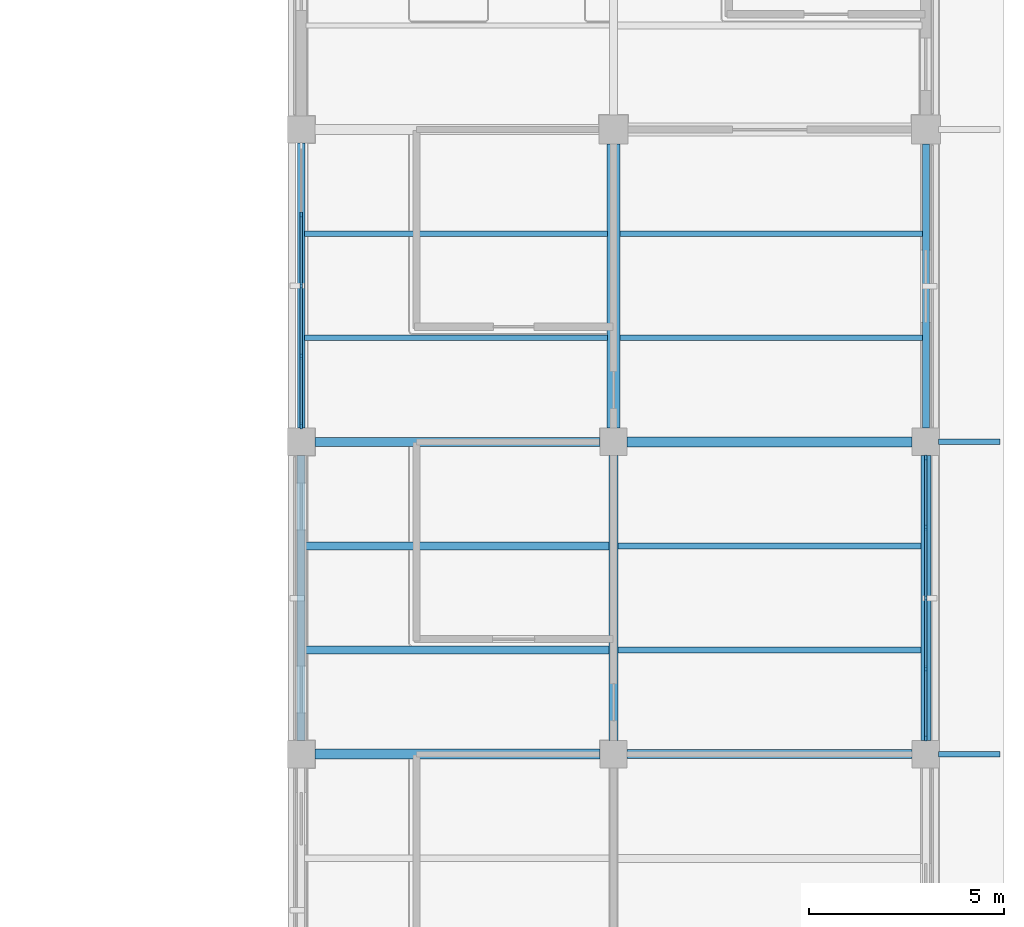
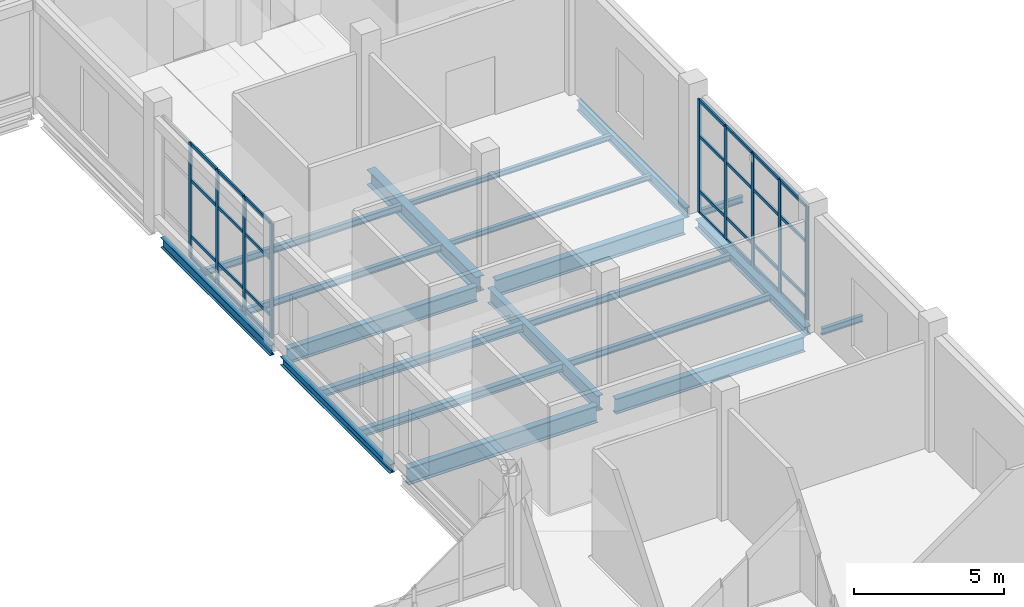
# One storey, part 43 of 105: 37 members, 20 beams, 2 elements without a shape of their own.
"""IFC4 building model written with IfcOpenShell, lengths in metres."""

from ifc_helpers import new_model, si_unit, derived_unit, direction, frame, origin, origin_2d, place, context, subcontext, project, spatial, rectangle, i_section, extrude, material, layer, layer_set, material_profile, profile_set, type_object, element, aggregate, save


model = new_model("IFC4")

# Units and contexts
model_context = context("Model", 3, precision=1e-05, world=origin(), true_north=direction((0.0, 1.0)))
body_context = subcontext(model_context, "Body", "Model", "MODEL_VIEW")
ifc_project = project(units=[si_unit("LENGTHUNIT", "METRE"), si_unit("AREAUNIT", "SQUARE_METRE"), si_unit("VOLUMEUNIT", "CUBIC_METRE"), si_unit("PLANEANGLEUNIT", "RADIAN"), si_unit("MASSUNIT", "GRAM", prefix="KILO"), derived_unit("THERMALTRANSMITTANCEUNIT", [(si_unit("MASSUNIT", "GRAM", prefix="KILO"), 1), (si_unit("TIMEUNIT", "SECOND"), -3), (si_unit("THERMODYNAMICTEMPERATUREUNIT", "KELVIN"), -1)])], contexts=[model_context])

# Site, building, storey
site_placement = place(None, origin())
site = spatial("IfcSite", under=ifc_project, at=site_placement, CompositionType="ELEMENT")
building_placement = place(site_placement, origin())
building = spatial("IfcBuilding", under=site, at=building_placement, Name="Veyamyaing Civic Hall", CompositionType="ELEMENT")
storey_placement = place(building_placement, origin())
storey = spatial("IfcBuildingStorey", under=building, at=storey_placement, Name="L00", CompositionType="ELEMENT", Elevation=0.0)

# Beams
ifc_material_1 = material(Name="Steel ASTM A992", Category="steel")
ifc_material_profile_1 = material_profile(ifc_material_1, i_section(OverallWidth=0.256103515625, OverallDepth=0.693115234375, WebThickness=0.014404296875, FlangeThickness=0.023681640625, FilletRadius=0.013916015625, at=origin_2d()), Name="W690X170")
ifc_profile_set_1 = profile_set([ifc_material_profile_1], Name="Steel ASTM A992")
beam_type_1 = type_object("IfcBeamType", Name="B-04", PredefinedType="BEAM", material=ifc_profile_set_1)
beam_1_placement = place(storey_placement, frame((160.35009765625, 64.0, -0.611572265625), z_axis=(1.0, 0.0, 0.0), x_axis=(0.0, 1.0, 0.0)))
element("IfcBeam", 1, at=beam_1_placement, inside=storey, type_object=beam_type_1, Name="Girder B-04 L00 Grid J 21-22", PredefinedType="BEAM", context=body_context, shape_type="SweptSolid", body=[
    extrude(i_section(OverallWidth=0.256103515625, OverallDepth=0.693115234375, WebThickness=0.014404296875, FlangeThickness=0.023681640625, FilletRadius=0.013916015625, at=origin_2d()), origin(), (0.0, 0.0, 1.0), 7.2998046875),
])
ifc_material_profile_2 = material_profile(ifc_material_1, i_section(OverallWidth=0.22998046875, OverallDepth=0.616943359375, WebThickness=0.01318359375, FlangeThickness=0.022216796875, FilletRadius=0.012939453125, at=origin_2d()), Name="W610X140")
ifc_profile_set_2 = profile_set([ifc_material_profile_2], Name="Steel ASTM A992")
beam_type_2 = type_object("IfcBeamType", Name="B-05", PredefinedType="BEAM", material=ifc_profile_set_2)
for number, where, z_axis, x_axis, name in (
    (2, (168.35009765625, 64.0, -0.573486328125), (1.0, 0.0, 0.0), (0.0, 1.0, 0.0), "Girder B-05 L00 Grid J 22-23"),
    (3, (160.35009765625, 72.0, -0.573486328125), (1.0, 0.0, 0.0), (0.0, 1.0, 0.0), "Girder B-05 L00 Grid K 21-22"),
):
    element("IfcBeam", number, at=place(storey_placement, frame(where, z_axis=z_axis, x_axis=x_axis)), inside=storey, type_object=beam_type_2, Name=name, PredefinedType="BEAM", context=body_context, shape_type="SweptSolid", body=[
        extrude(i_section(OverallWidth=0.22998046875, OverallDepth=0.616943359375, WebThickness=0.01318359375, FlangeThickness=0.022216796875, FilletRadius=0.012939453125, at=origin_2d()), origin(), (0.0, 0.0, 1.0), 7.2998046875),
    ])
ifc_material_profile_3 = material_profile(ifc_material_1, i_section(OverallWidth=0.22802734375, OverallDepth=0.60791015625, WebThickness=0.01123046875, FlangeThickness=0.017333984375, FilletRadius=0.012939453125, at=origin_2d()), Name="W610X113")
ifc_profile_set_3 = profile_set([ifc_material_profile_3], Name="Steel ASTM A992")
beam_type_3 = type_object("IfcBeamType", Name="B-06", PredefinedType="BEAM", material=ifc_profile_set_3)
beam_2_placement = place(storey_placement, frame((168.0, 64.35009765625, -0.569091796875), z_axis=(0.0, 1.0, 0.0), x_axis=(-1.0, 0.0, 0.0)))
element("IfcBeam", 4, at=beam_2_placement, inside=storey, type_object=beam_type_3, Name="Girder B-06 L00 Grid 22 J-K", PredefinedType="BEAM", context=body_context, shape_type="SweptSolid", body=[
    extrude(i_section(OverallWidth=0.22802734375, OverallDepth=0.60791015625, WebThickness=0.01123046875, FlangeThickness=0.017333984375, FilletRadius=0.012939453125, at=origin_2d()), origin(), (0.0, 0.0, 1.0), 7.2998046875),
])
ifc_material_profile_4 = material_profile(ifc_material_1, i_section(OverallWidth=0.179931640625, OverallDepth=0.4130859375, WebThickness=0.009765625, FlangeThickness=0.01611328125, FilletRadius=0.010009765625, at=origin_2d()), Name="W410X74")
ifc_profile_set_4 = profile_set([ifc_material_profile_4], Name="Steel ASTM A992")
beam_type_4 = type_object("IfcBeamType", Name="B-10", PredefinedType="SPANDREL", material=ifc_profile_set_4)
beam_3_placement = place(storey_placement, frame((176.0, 72.35009765625, -0.471435546875), z_axis=(0.0, 1.0, 0.0), x_axis=(-1.0, 0.0, 0.0)))
element("IfcBeam", 5, at=beam_3_placement, inside=storey, type_object=beam_type_4, Name="Girder B-10 L00 Grid 23 K-L", PredefinedType="SPANDREL", context=body_context, shape_type="SweptSolid", body=[
    extrude(i_section(OverallWidth=0.179931640625, OverallDepth=0.4130859375, WebThickness=0.009765625, FlangeThickness=0.01611328125, FilletRadius=0.010009765625, at=origin_2d()), origin(), (0.0, 0.0, 1.0), 7.27490234375),
])
ifc_material_profile_5 = material_profile(ifc_material_1, i_section(OverallWidth=0.2041015625, OverallDepth=0.35009765625, WebThickness=0.0078125, FlangeThickness=0.01513671875, FilletRadius=0.010009765625, at=origin_2d()), Name="W360X72")
ifc_profile_set_5 = profile_set([ifc_material_profile_5], Name="Steel ASTM A992")
beam_type_5 = type_object("IfcBeamType", Name="B-11", PredefinedType="SPANDREL", material=ifc_profile_set_5)
beam_4_placement = place(storey_placement, frame((160.0, 64.35009765625, -0.43994140625), z_axis=(0.0, 1.0, 0.0), x_axis=(-1.0, 0.0, 0.0)))
element("IfcBeam", 6, at=beam_4_placement, inside=storey, type_object=beam_type_5, Name="Girder B-11 L00 Grid 21 J-K", PredefinedType="SPANDREL", context=body_context, shape_type="SweptSolid", body=[
    extrude(i_section(OverallWidth=0.2041015625, OverallDepth=0.35009765625, WebThickness=0.0078125, FlangeThickness=0.01513671875, FilletRadius=0.010009765625, at=origin_2d()), origin(), (0.0, 0.0, 1.0), 7.2998046875),
])
ifc_material_profile_6 = material_profile(ifc_material_1, i_section(OverallWidth=0.14599609375, OverallDepth=0.258056640625, WebThickness=0.006103515625, FlangeThickness=0.009033203125, FilletRadius=0.010009765625, at=origin_2d()), Name="W250X33")
ifc_profile_set_6 = profile_set([ifc_material_profile_6], Name="Steel ASTM A992")
beam_type_6 = type_object("IfcBeamType", Name="B-12", PredefinedType="BEAM", material=ifc_profile_set_6)
for number, where, z_axis, x_axis, name in (
    (7, (176.320068359375, 64.0, -0.34912109375), (1.0, 0.0, 0.0), (0.0, 1.0, 0.0), "Colonnade deck transverse beam B-12 E.8"),
    (8, (176.320068359375, 72.0, -0.34912109375), (1.0, 0.0, 0.0), (0.0, 1.0, 0.0), "Colonnade deck transverse beam B-12 E.9"),
):
    element("IfcBeam", number, at=place(storey_placement, frame(where, z_axis=z_axis, x_axis=x_axis)), inside=storey, type_object=beam_type_6, Name=name, PredefinedType="BEAM", context=body_context, shape_type="SweptSolid", body=[
        extrude(i_section(OverallWidth=0.14599609375, OverallDepth=0.258056640625, WebThickness=0.006103515625, FlangeThickness=0.009033203125, FilletRadius=0.010009765625, at=origin_2d()), origin(), (0.0, 0.0, 1.0), 1.579833984375),
    ])
ifc_material_profile_7 = material_profile(ifc_material_1, i_section(OverallWidth=0.25390625, OverallDepth=0.68408203125, WebThickness=0.012451171875, FlangeThickness=0.01904296875, FilletRadius=0.013916015625, at=origin_2d()), Name="W690X140")
ifc_profile_set_7 = profile_set([ifc_material_profile_7], Name="Steel ASTM A992")
beam_type_7 = type_object("IfcBeamType", Name="B-14", PredefinedType="BEAM", material=ifc_profile_set_7)
beam_5_placement = place(storey_placement, frame((168.35009765625, 72.0, -0.60693359375), z_axis=(1.0, 0.0, 0.0), x_axis=(0.0, 1.0, 0.0)))
element("IfcBeam", 9, at=beam_5_placement, inside=storey, type_object=beam_type_7, Name="Girder B-14 L00 Grid K 22-23", PredefinedType="BEAM", context=body_context, shape_type="SweptSolid", body=[
    extrude(i_section(OverallWidth=0.25390625, OverallDepth=0.68408203125, WebThickness=0.012451171875, FlangeThickness=0.01904296875, FilletRadius=0.013916015625, at=origin_2d()), origin(), (0.0, 0.0, 1.0), 7.2998046875),
])
ifc_material_profile_8 = material_profile(ifc_material_1, i_section(OverallWidth=0.324951171875, OverallDepth=0.615966796875, WebThickness=0.013916015625, FlangeThickness=0.021484375, FilletRadius=0.013916015625, at=origin_2d()), Name="W610X174")
ifc_profile_set_8 = profile_set([ifc_material_profile_8], Name="Steel ASTM A992")
beam_type_8 = type_object("IfcBeamType", Name="B-15", PredefinedType="BEAM", material=ifc_profile_set_8)
beam_6_placement = place(storey_placement, frame((168.0, 72.35009765625, -0.572998046875), z_axis=(0.0, 1.0, 0.0), x_axis=(-1.0, 0.0, 0.0)))
element("IfcBeam", 10, at=beam_6_placement, inside=storey, type_object=beam_type_8, Name="Girder B-15 L00 Grid 22 K-L", PredefinedType="BEAM", context=body_context, shape_type="SweptSolid", body=[
    extrude(i_section(OverallWidth=0.324951171875, OverallDepth=0.615966796875, WebThickness=0.013916015625, FlangeThickness=0.021484375, FilletRadius=0.013916015625, at=origin_2d()), origin(), (0.0, 0.0, 1.0), 7.27490234375),
])
ifc_material_profile_9 = material_profile(ifc_material_1, i_section(OverallWidth=0.180908203125, OverallDepth=0.4169921875, WebThickness=0.010986328125, FlangeThickness=0.018310546875, FilletRadius=0.010009765625, at=origin_2d()), Name="W410X85")
ifc_profile_set_9 = profile_set([ifc_material_profile_9], Name="Steel ASTM A992")
beam_type_9 = type_object("IfcBeamType", Name="B-19", PredefinedType="SPANDREL", material=ifc_profile_set_9)
beam_7_placement = place(storey_placement, frame((160.0, 72.35009765625, -0.473388671875), z_axis=(0.0, 1.0, 0.0), x_axis=(-1.0, 0.0, 0.0)))
element("IfcBeam", 11, at=beam_7_placement, inside=storey, type_object=beam_type_9, Name="Girder B-19 L00 Grid 21 K-L", PredefinedType="SPANDREL", context=body_context, shape_type="SweptSolid", body=[
    extrude(i_section(OverallWidth=0.180908203125, OverallDepth=0.4169921875, WebThickness=0.010986328125, FlangeThickness=0.018310546875, FilletRadius=0.010009765625, at=origin_2d()), origin(), (0.0, 0.0, 1.0), 7.2998046875),
])
ifc_material_profile_10 = material_profile(ifc_material_1, i_section(OverallWidth=0.25390625, OverallDepth=0.35302734375, WebThickness=0.009521484375, FlangeThickness=0.016357421875, FilletRadius=0.011962890625, at=origin_2d()), Name="W360X91")
ifc_profile_set_10 = profile_set([ifc_material_profile_10], Name="Steel ASTM A992")
beam_type_10 = type_object("IfcBeamType", Name="B-20", PredefinedType="SPANDREL", material=ifc_profile_set_10)
beam_8_placement = place(storey_placement, frame((176.0, 64.35009765625, -0.44140625), z_axis=(0.0, 1.0, 0.0), x_axis=(-1.0, 0.0, 0.0)))
element("IfcBeam", 12, at=beam_8_placement, inside=storey, type_object=beam_type_10, Name="Girder B-20 L00 Grid 23 J-K", PredefinedType="SPANDREL", context=body_context, shape_type="SweptSolid", body=[
    extrude(i_section(OverallWidth=0.25390625, OverallDepth=0.35302734375, WebThickness=0.009521484375, FlangeThickness=0.016357421875, FilletRadius=0.011962890625, at=origin_2d()), origin(), (0.0, 0.0, 1.0), 7.2998046875),
])

# Curtain wall, members
ifc_material_2 = material(Name="Anodised aluminium 6063-T6", Category="aluminium")
ifc_layer = layer(ifc_material_2, 0.159912109375, Name="Anodised aluminium 6063-T6")
ifc_layer_set = layer_set([ifc_layer], Name="Anodised aluminium 6063-T6")
curtain_wall_type = type_object("IfcCurtainWallType", Name="CW-01", PredefinedType="NOTDEFINED", material=ifc_layer_set)
curtain_wall_1_placement = place(storey_placement, origin())
curtain_wall_1 = element("IfcCurtainWall", 13, at=curtain_wall_1_placement, inside=storey, type_object=curtain_wall_type, Name="Unitized curtain wall CW-01 L00 W 21.10", PredefinedType="NOTDEFINED")
ifc_material_profile_11 = material_profile(ifc_material_2, rectangle(XDim=0.06494140625, YDim=0.159912109375, at=origin_2d()), Name="ALU-MUL-65X160")
ifc_profile_set_11 = profile_set([ifc_material_profile_11], Name="Anodised aluminium 6063-T6")
member_type_1 = type_object("IfcMemberType", Name="CWM-01", PredefinedType="MULLION", material=ifc_profile_set_11)
member_1_placement = place(storey_placement, frame((160.0, 72.41259765625, 0.0), z_axis=(0.0, 0.0, 1.0), x_axis=(-1.0, 0.0, 0.0)))
member_1 = element("IfcMember", 14, at=member_1_placement, type_object=member_type_1, Name="CW-01 mullion 1", PredefinedType="MULLION", context=body_context, shape_type="SweptSolid", body=[
    extrude(rectangle(XDim=0.06494140625, YDim=0.159912109375, at=origin_2d()), origin(), (0.0, 0.0, 1.0), 4.678955078125),
])
member_2_placement = place(storey_placement, frame((160.0, 74.18994140625, 0.0), z_axis=(0.0, 0.0, 1.0), x_axis=(-1.0, 0.0, 0.0)))
member_2 = element("IfcMember", 15, at=member_2_placement, type_object=member_type_1, Name="CW-01 mullion 2", PredefinedType="MULLION", context=body_context, shape_type="SweptSolid", body=[
    extrude(rectangle(XDim=0.06494140625, YDim=0.159912109375, at=origin_2d()), origin(), (0.0, 0.0, 1.0), 4.678955078125),
])
member_3_placement = place(storey_placement, frame((160.0, 76.0, 0.0), z_axis=(0.0, 0.0, 1.0), x_axis=(-1.0, 0.0, 0.0)))
member_3 = element("IfcMember", 16, at=member_3_placement, type_object=member_type_1, Name="CW-01 mullion 3", PredefinedType="MULLION", context=body_context, shape_type="SweptSolid", body=[
    extrude(rectangle(XDim=0.06494140625, YDim=0.159912109375, at=origin_2d()), origin(), (0.0, 0.0, 1.0), 4.678955078125),
])
member_4_placement = place(storey_placement, frame((160.0, 77.81005859375, 0.0), z_axis=(0.0, 0.0, 1.0), x_axis=(-1.0, 0.0, 0.0)))
member_4 = element("IfcMember", 17, at=member_4_placement, type_object=member_type_1, Name="CW-01 mullion 4", PredefinedType="MULLION", context=body_context, shape_type="SweptSolid", body=[
    extrude(rectangle(XDim=0.06494140625, YDim=0.159912109375, at=origin_2d()), origin(), (0.0, 0.0, 1.0), 4.678955078125),
])

curtain_wall_2_placement = place(storey_placement, origin())
curtain_wall_2 = element("IfcCurtainWall", 18, at=curtain_wall_2_placement, inside=storey, type_object=curtain_wall_type, Name="Unitized curtain wall CW-01 L00 E 22.9", PredefinedType="NOTDEFINED")
member_5_placement = place(storey_placement, frame((176.0, 64.41259765625, 0.0), z_axis=(0.0, 0.0, 1.0), x_axis=(-1.0, 0.0, 0.0)))
member_5 = element("IfcMember", 19, at=member_5_placement, type_object=member_type_1, Name="CW-01 mullion 1", PredefinedType="MULLION", context=body_context, shape_type="SweptSolid", body=[
    extrude(rectangle(XDim=0.06494140625, YDim=0.159912109375, at=origin_2d()), origin(), (0.0, 0.0, 1.0), 4.614013671875),
])
member_6_placement = place(storey_placement, frame((176.0, 66.18994140625, 0.0), z_axis=(0.0, 0.0, 1.0), x_axis=(-1.0, 0.0, 0.0)))
member_6 = element("IfcMember", 20, at=member_6_placement, type_object=member_type_1, Name="CW-01 mullion 2", PredefinedType="MULLION", context=body_context, shape_type="SweptSolid", body=[
    extrude(rectangle(XDim=0.06494140625, YDim=0.159912109375, at=origin_2d()), origin(), (0.0, 0.0, 1.0), 4.614013671875),
])
member_7_placement = place(storey_placement, frame((176.0, 68.0, 0.0), z_axis=(0.0, 0.0, 1.0), x_axis=(-1.0, 0.0, 0.0)))
member_7 = element("IfcMember", 21, at=member_7_placement, type_object=member_type_1, Name="CW-01 mullion 3", PredefinedType="MULLION", context=body_context, shape_type="SweptSolid", body=[
    extrude(rectangle(XDim=0.06494140625, YDim=0.159912109375, at=origin_2d()), origin(), (0.0, 0.0, 1.0), 4.614013671875),
])
member_8_placement = place(storey_placement, frame((176.0, 69.81005859375, 0.0), z_axis=(0.0, 0.0, 1.0), x_axis=(-1.0, 0.0, 0.0)))
member_8 = element("IfcMember", 22, at=member_8_placement, type_object=member_type_1, Name="CW-01 mullion 4", PredefinedType="MULLION", context=body_context, shape_type="SweptSolid", body=[
    extrude(rectangle(XDim=0.06494140625, YDim=0.159912109375, at=origin_2d()), origin(), (0.0, 0.0, 1.0), 4.614013671875),
])
member_9_placement = place(storey_placement, frame((176.0, 71.58740234375, 0.0), z_axis=(0.0, 0.0, 1.0), x_axis=(-1.0, 0.0, 0.0)))
member_9 = element("IfcMember", 23, at=member_9_placement, type_object=member_type_1, Name="CW-01 mullion 5", PredefinedType="MULLION", context=body_context, shape_type="SweptSolid", body=[
    extrude(rectangle(XDim=0.06494140625, YDim=0.159912109375, at=origin_2d()), origin(), (0.0, 0.0, 1.0), 4.614013671875),
])

# Member
ifc_material_profile_12 = material_profile(ifc_material_2, rectangle(XDim=0.06494140625, YDim=0.1201171875, at=origin_2d()), Name="ALU-TRN-65X120")
ifc_profile_set_12 = profile_set([ifc_material_profile_12], Name="Anodised aluminium 6063-T6")
member_type_2 = type_object("IfcMemberType", Name="CWT-01", PredefinedType="USERDEFINED", material=ifc_profile_set_12)
member_10_placement = place(storey_placement, frame((160.0, 72.445068359375, 0.032470703125), z_axis=(0.0, 1.0, 0.0), x_axis=(-1.0, 0.0, 0.0)))
member_10 = element("IfcMember", 24, at=member_10_placement, type_object=member_type_2, Name="CW-01 transom 1.1", ObjectType="TRANSOM", PredefinedType="USERDEFINED", context=body_context, shape_type="SweptSolid", body=[
    extrude(rectangle(XDim=0.06494140625, YDim=0.1201171875, at=origin_2d()), origin(), (0.0, 0.0, 1.0), 1.71240234375),
])

member_11_placement = place(storey_placement, frame((160.0, 72.445068359375, 0.89990234375), z_axis=(0.0, 1.0, 0.0), x_axis=(-1.0, 0.0, 0.0)))
member_11 = element("IfcMember", 25, at=member_11_placement, type_object=member_type_2, Name="CW-01 transom 1.2", ObjectType="TRANSOM", PredefinedType="USERDEFINED", context=body_context, shape_type="SweptSolid", body=[
    extrude(rectangle(XDim=0.06494140625, YDim=0.1201171875, at=origin_2d()), origin(), (0.0, 0.0, 1.0), 1.71240234375),
])

member_12_placement = place(storey_placement, frame((160.0, 72.445068359375, 3.181640625), z_axis=(0.0, 1.0, 0.0), x_axis=(-1.0, 0.0, 0.0)))
member_12 = element("IfcMember", 26, at=member_12_placement, type_object=member_type_2, Name="CW-01 transom 1.3", ObjectType="TRANSOM", PredefinedType="USERDEFINED", context=body_context, shape_type="SweptSolid", body=[
    extrude(rectangle(XDim=0.06494140625, YDim=0.1201171875, at=origin_2d()), origin(), (0.0, 0.0, 1.0), 1.71240234375),
])

member_13_placement = place(storey_placement, frame((160.0, 72.445068359375, 4.646484375), z_axis=(0.0, 1.0, 0.0), x_axis=(-1.0, 0.0, 0.0)))
member_13 = element("IfcMember", 27, at=member_13_placement, type_object=member_type_2, Name="CW-01 transom 1.4", ObjectType="TRANSOM", PredefinedType="USERDEFINED", context=body_context, shape_type="SweptSolid", body=[
    extrude(rectangle(XDim=0.06494140625, YDim=0.1201171875, at=origin_2d()), origin(), (0.0, 0.0, 1.0), 1.71240234375),
])

member_14_placement = place(storey_placement, frame((160.0, 74.222412109375, 0.032470703125), z_axis=(0.0, 1.0, 0.0), x_axis=(-1.0, 0.0, 0.0)))
member_14 = element("IfcMember", 28, at=member_14_placement, type_object=member_type_2, Name="CW-01 transom 2.1", ObjectType="TRANSOM", PredefinedType="USERDEFINED", context=body_context, shape_type="SweptSolid", body=[
    extrude(rectangle(XDim=0.06494140625, YDim=0.1201171875, at=origin_2d()), origin(), (0.0, 0.0, 1.0), 1.7451171875),
])

member_15_placement = place(storey_placement, frame((160.0, 74.222412109375, 0.89990234375), z_axis=(0.0, 1.0, 0.0), x_axis=(-1.0, 0.0, 0.0)))
member_15 = element("IfcMember", 29, at=member_15_placement, type_object=member_type_2, Name="CW-01 transom 2.2", ObjectType="TRANSOM", PredefinedType="USERDEFINED", context=body_context, shape_type="SweptSolid", body=[
    extrude(rectangle(XDim=0.06494140625, YDim=0.1201171875, at=origin_2d()), origin(), (0.0, 0.0, 1.0), 1.7451171875),
])

member_16_placement = place(storey_placement, frame((160.0, 74.222412109375, 3.181640625), z_axis=(0.0, 1.0, 0.0), x_axis=(-1.0, 0.0, 0.0)))
member_16 = element("IfcMember", 30, at=member_16_placement, type_object=member_type_2, Name="CW-01 transom 2.3", ObjectType="TRANSOM", PredefinedType="USERDEFINED", context=body_context, shape_type="SweptSolid", body=[
    extrude(rectangle(XDim=0.06494140625, YDim=0.1201171875, at=origin_2d()), origin(), (0.0, 0.0, 1.0), 1.7451171875),
])

member_17_placement = place(storey_placement, frame((160.0, 74.222412109375, 4.646484375), z_axis=(0.0, 1.0, 0.0), x_axis=(-1.0, 0.0, 0.0)))
member_17 = element("IfcMember", 31, at=member_17_placement, type_object=member_type_2, Name="CW-01 transom 2.4", ObjectType="TRANSOM", PredefinedType="USERDEFINED", context=body_context, shape_type="SweptSolid", body=[
    extrude(rectangle(XDim=0.06494140625, YDim=0.1201171875, at=origin_2d()), origin(), (0.0, 0.0, 1.0), 1.7451171875),
])

member_18_placement = place(storey_placement, frame((160.0, 76.032470703125, 0.032470703125), z_axis=(0.0, 1.0, 0.0), x_axis=(-1.0, 0.0, 0.0)))
member_18 = element("IfcMember", 32, at=member_18_placement, type_object=member_type_2, Name="CW-01 transom 3.1", ObjectType="TRANSOM", PredefinedType="USERDEFINED", context=body_context, shape_type="SweptSolid", body=[
    extrude(rectangle(XDim=0.06494140625, YDim=0.1201171875, at=origin_2d()), origin(), (0.0, 0.0, 1.0), 1.7451171875),
])

member_19_placement = place(storey_placement, frame((160.0, 76.032470703125, 0.89990234375), z_axis=(0.0, 1.0, 0.0), x_axis=(-1.0, 0.0, 0.0)))
member_19 = element("IfcMember", 33, at=member_19_placement, type_object=member_type_2, Name="CW-01 transom 3.2", ObjectType="TRANSOM", PredefinedType="USERDEFINED", context=body_context, shape_type="SweptSolid", body=[
    extrude(rectangle(XDim=0.06494140625, YDim=0.1201171875, at=origin_2d()), origin(), (0.0, 0.0, 1.0), 1.7451171875),
])

member_20_placement = place(storey_placement, frame((160.0, 76.032470703125, 3.181640625), z_axis=(0.0, 1.0, 0.0), x_axis=(-1.0, 0.0, 0.0)))
member_20 = element("IfcMember", 34, at=member_20_placement, type_object=member_type_2, Name="CW-01 transom 3.3", ObjectType="TRANSOM", PredefinedType="USERDEFINED", context=body_context, shape_type="SweptSolid", body=[
    extrude(rectangle(XDim=0.06494140625, YDim=0.1201171875, at=origin_2d()), origin(), (0.0, 0.0, 1.0), 1.7451171875),
])

member_21_placement = place(storey_placement, frame((160.0, 76.032470703125, 4.646484375), z_axis=(0.0, 1.0, 0.0), x_axis=(-1.0, 0.0, 0.0)))
member_21 = element("IfcMember", 35, at=member_21_placement, type_object=member_type_2, Name="CW-01 transom 3.4", ObjectType="TRANSOM", PredefinedType="USERDEFINED", context=body_context, shape_type="SweptSolid", body=[
    extrude(rectangle(XDim=0.06494140625, YDim=0.1201171875, at=origin_2d()), origin(), (0.0, 0.0, 1.0), 1.7451171875),
])

aggregate(curtain_wall_1, [member_1, member_2, member_3, member_4, member_10, member_11, member_12, member_13, member_14, member_15, member_16, member_17, member_18, member_19, member_20, member_21])

member_22_placement = place(storey_placement, frame((176.0, 64.445068359375, 0.032470703125), z_axis=(0.0, 1.0, 0.0), x_axis=(-1.0, 0.0, 0.0)))
member_22 = element("IfcMember", 36, at=member_22_placement, type_object=member_type_2, Name="CW-01 transom 1.1", ObjectType="TRANSOM", PredefinedType="USERDEFINED", context=body_context, shape_type="SweptSolid", body=[
    extrude(rectangle(XDim=0.06494140625, YDim=0.1201171875, at=origin_2d()), origin(), (0.0, 0.0, 1.0), 1.71240234375),
])

member_23_placement = place(storey_placement, frame((176.0, 64.445068359375, 0.89990234375), z_axis=(0.0, 1.0, 0.0), x_axis=(-1.0, 0.0, 0.0)))
member_23 = element("IfcMember", 37, at=member_23_placement, type_object=member_type_2, Name="CW-01 transom 1.2", ObjectType="TRANSOM", PredefinedType="USERDEFINED", context=body_context, shape_type="SweptSolid", body=[
    extrude(rectangle(XDim=0.06494140625, YDim=0.1201171875, at=origin_2d()), origin(), (0.0, 0.0, 1.0), 1.71240234375),
])

member_24_placement = place(storey_placement, frame((176.0, 64.445068359375, 3.137451171875), z_axis=(0.0, 1.0, 0.0), x_axis=(-1.0, 0.0, 0.0)))
member_24 = element("IfcMember", 38, at=member_24_placement, type_object=member_type_2, Name="CW-01 transom 1.3", ObjectType="TRANSOM", PredefinedType="USERDEFINED", context=body_context, shape_type="SweptSolid", body=[
    extrude(rectangle(XDim=0.06494140625, YDim=0.1201171875, at=origin_2d()), origin(), (0.0, 0.0, 1.0), 1.71240234375),
])

member_25_placement = place(storey_placement, frame((176.0, 64.445068359375, 4.58154296875), z_axis=(0.0, 1.0, 0.0), x_axis=(-1.0, 0.0, 0.0)))
member_25 = element("IfcMember", 39, at=member_25_placement, type_object=member_type_2, Name="CW-01 transom 1.4", ObjectType="TRANSOM", PredefinedType="USERDEFINED", context=body_context, shape_type="SweptSolid", body=[
    extrude(rectangle(XDim=0.06494140625, YDim=0.1201171875, at=origin_2d()), origin(), (0.0, 0.0, 1.0), 1.71240234375),
])

member_26_placement = place(storey_placement, frame((176.0, 66.222412109375, 0.032470703125), z_axis=(0.0, 1.0, 0.0), x_axis=(-1.0, 0.0, 0.0)))
member_26 = element("IfcMember", 40, at=member_26_placement, type_object=member_type_2, Name="CW-01 transom 2.1", ObjectType="TRANSOM", PredefinedType="USERDEFINED", context=body_context, shape_type="SweptSolid", body=[
    extrude(rectangle(XDim=0.06494140625, YDim=0.1201171875, at=origin_2d()), origin(), (0.0, 0.0, 1.0), 1.7451171875),
])

member_27_placement = place(storey_placement, frame((176.0, 66.222412109375, 0.89990234375), z_axis=(0.0, 1.0, 0.0), x_axis=(-1.0, 0.0, 0.0)))
member_27 = element("IfcMember", 41, at=member_27_placement, type_object=member_type_2, Name="CW-01 transom 2.2", ObjectType="TRANSOM", PredefinedType="USERDEFINED", context=body_context, shape_type="SweptSolid", body=[
    extrude(rectangle(XDim=0.06494140625, YDim=0.1201171875, at=origin_2d()), origin(), (0.0, 0.0, 1.0), 1.7451171875),
])

member_28_placement = place(storey_placement, frame((176.0, 66.222412109375, 3.137451171875), z_axis=(0.0, 1.0, 0.0), x_axis=(-1.0, 0.0, 0.0)))
member_28 = element("IfcMember", 42, at=member_28_placement, type_object=member_type_2, Name="CW-01 transom 2.3", ObjectType="TRANSOM", PredefinedType="USERDEFINED", context=body_context, shape_type="SweptSolid", body=[
    extrude(rectangle(XDim=0.06494140625, YDim=0.1201171875, at=origin_2d()), origin(), (0.0, 0.0, 1.0), 1.7451171875),
])

member_29_placement = place(storey_placement, frame((176.0, 66.222412109375, 4.58154296875), z_axis=(0.0, 1.0, 0.0), x_axis=(-1.0, 0.0, 0.0)))
member_29 = element("IfcMember", 43, at=member_29_placement, type_object=member_type_2, Name="CW-01 transom 2.4", ObjectType="TRANSOM", PredefinedType="USERDEFINED", context=body_context, shape_type="SweptSolid", body=[
    extrude(rectangle(XDim=0.06494140625, YDim=0.1201171875, at=origin_2d()), origin(), (0.0, 0.0, 1.0), 1.7451171875),
])

member_30_placement = place(storey_placement, frame((176.0, 68.032470703125, 0.032470703125), z_axis=(0.0, 1.0, 0.0), x_axis=(-1.0, 0.0, 0.0)))
member_30 = element("IfcMember", 44, at=member_30_placement, type_object=member_type_2, Name="CW-01 transom 3.1", ObjectType="TRANSOM", PredefinedType="USERDEFINED", context=body_context, shape_type="SweptSolid", body=[
    extrude(rectangle(XDim=0.06494140625, YDim=0.1201171875, at=origin_2d()), origin(), (0.0, 0.0, 1.0), 1.7451171875),
])

member_31_placement = place(storey_placement, frame((176.0, 68.032470703125, 0.89990234375), z_axis=(0.0, 1.0, 0.0), x_axis=(-1.0, 0.0, 0.0)))
member_31 = element("IfcMember", 45, at=member_31_placement, type_object=member_type_2, Name="CW-01 transom 3.2", ObjectType="TRANSOM", PredefinedType="USERDEFINED", context=body_context, shape_type="SweptSolid", body=[
    extrude(rectangle(XDim=0.06494140625, YDim=0.1201171875, at=origin_2d()), origin(), (0.0, 0.0, 1.0), 1.7451171875),
])

member_32_placement = place(storey_placement, frame((176.0, 68.032470703125, 3.137451171875), z_axis=(0.0, 1.0, 0.0), x_axis=(-1.0, 0.0, 0.0)))
member_32 = element("IfcMember", 46, at=member_32_placement, type_object=member_type_2, Name="CW-01 transom 3.3", ObjectType="TRANSOM", PredefinedType="USERDEFINED", context=body_context, shape_type="SweptSolid", body=[
    extrude(rectangle(XDim=0.06494140625, YDim=0.1201171875, at=origin_2d()), origin(), (0.0, 0.0, 1.0), 1.7451171875),
])

member_33_placement = place(storey_placement, frame((176.0, 68.032470703125, 4.58154296875), z_axis=(0.0, 1.0, 0.0), x_axis=(-1.0, 0.0, 0.0)))
member_33 = element("IfcMember", 47, at=member_33_placement, type_object=member_type_2, Name="CW-01 transom 3.4", ObjectType="TRANSOM", PredefinedType="USERDEFINED", context=body_context, shape_type="SweptSolid", body=[
    extrude(rectangle(XDim=0.06494140625, YDim=0.1201171875, at=origin_2d()), origin(), (0.0, 0.0, 1.0), 1.7451171875),
])

member_34_placement = place(storey_placement, frame((176.0, 69.842529296875, 0.032470703125), z_axis=(0.0, 1.0, 0.0), x_axis=(-1.0, 0.0, 0.0)))
member_34 = element("IfcMember", 48, at=member_34_placement, type_object=member_type_2, Name="CW-01 transom 4.1", ObjectType="TRANSOM", PredefinedType="USERDEFINED", context=body_context, shape_type="SweptSolid", body=[
    extrude(rectangle(XDim=0.06494140625, YDim=0.1201171875, at=origin_2d()), origin(), (0.0, 0.0, 1.0), 1.71240234375),
])

member_35_placement = place(storey_placement, frame((176.0, 69.842529296875, 0.89990234375), z_axis=(0.0, 1.0, 0.0), x_axis=(-1.0, 0.0, 0.0)))
member_35 = element("IfcMember", 49, at=member_35_placement, type_object=member_type_2, Name="CW-01 transom 4.2", ObjectType="TRANSOM", PredefinedType="USERDEFINED", context=body_context, shape_type="SweptSolid", body=[
    extrude(rectangle(XDim=0.06494140625, YDim=0.1201171875, at=origin_2d()), origin(), (0.0, 0.0, 1.0), 1.71240234375),
])

member_36_placement = place(storey_placement, frame((176.0, 69.842529296875, 3.137451171875), z_axis=(0.0, 1.0, 0.0), x_axis=(-1.0, 0.0, 0.0)))
member_36 = element("IfcMember", 50, at=member_36_placement, type_object=member_type_2, Name="CW-01 transom 4.3", ObjectType="TRANSOM", PredefinedType="USERDEFINED", context=body_context, shape_type="SweptSolid", body=[
    extrude(rectangle(XDim=0.06494140625, YDim=0.1201171875, at=origin_2d()), origin(), (0.0, 0.0, 1.0), 1.71240234375),
])

member_37_placement = place(storey_placement, frame((176.0, 69.842529296875, 4.58154296875), z_axis=(0.0, 1.0, 0.0), x_axis=(-1.0, 0.0, 0.0)))
member_37 = element("IfcMember", 51, at=member_37_placement, type_object=member_type_2, Name="CW-01 transom 4.4", ObjectType="TRANSOM", PredefinedType="USERDEFINED", context=body_context, shape_type="SweptSolid", body=[
    extrude(rectangle(XDim=0.06494140625, YDim=0.1201171875, at=origin_2d()), origin(), (0.0, 0.0, 1.0), 1.71240234375),
])

aggregate(curtain_wall_2, [member_5, member_6, member_7, member_8, member_9, member_22, member_23, member_24, member_25, member_26, member_27, member_28, member_29, member_30, member_31, member_32, member_33, member_34, member_35, member_36, member_37])

# Beams
ifc_material_profile_13 = material_profile(ifc_material_1, i_section(OverallWidth=0.2041015625, OverallDepth=0.305908203125, WebThickness=0.008544921875, FlangeThickness=0.0146484375, FilletRadius=0.010009765625, at=origin_2d()), Name="W310X67")
ifc_profile_set_13 = profile_set([ifc_material_profile_13], Name="Steel ASTM A992")
beam_type_11 = type_object("IfcBeamType", Name="J-06", PredefinedType="JOIST", material=ifc_profile_set_13)
for number, where, z_axis, x_axis, name in (
    (52, (160.10009765625, 66.666748046875, -0.41796875), (1.0, 0.0, 0.0), (0.0, 1.0, 0.0), "Composite floor joist J-06 L00 21.9.1"),
    (53, (160.10009765625, 69.333251953125, -0.41796875), (1.0, 0.0, 0.0), (0.0, 1.0, 0.0), "Composite floor joist J-06 L00 21.9.2"),
):
    element("IfcBeam", number, at=place(storey_placement, frame(where, z_axis=z_axis, x_axis=x_axis)), inside=storey, type_object=beam_type_11, Name=name, PredefinedType="JOIST", context=body_context, shape_type="SweptSolid", body=[
        extrude(i_section(OverallWidth=0.2041015625, OverallDepth=0.305908203125, WebThickness=0.008544921875, FlangeThickness=0.0146484375, FilletRadius=0.010009765625, at=origin_2d()), origin(), (0.0, 0.0, 1.0), 7.787841796875),
    ])
ifc_material_profile_14 = material_profile(ifc_material_1, i_section(OverallWidth=0.14794921875, OverallDepth=0.26611328125, WebThickness=0.007568359375, FlangeThickness=0.012939453125, FilletRadius=0.010009765625, at=origin_2d()), Name="W250X45")
ifc_profile_set_14 = profile_set([ifc_material_profile_14], Name="Steel ASTM A992")
beam_type_12 = type_object("IfcBeamType", Name="J-07", PredefinedType="JOIST", material=ifc_profile_set_14)
for number, where, z_axis, x_axis, name in (
    (54, (160.08837890625, 74.666748046875, -0.39794921875), (1.0, 0.0, 0.0), (0.0, 1.0, 0.0), "Composite floor joist J-07 L00 21.10.1"),
    (55, (160.08837890625, 77.333251953125, -0.39794921875), (1.0, 0.0, 0.0), (0.0, 1.0, 0.0), "Composite floor joist J-07 L00 21.10.2"),
):
    element("IfcBeam", number, at=place(storey_placement, frame(where, z_axis=z_axis, x_axis=x_axis)), inside=storey, type_object=beam_type_12, Name=name, PredefinedType="JOIST", context=body_context, shape_type="SweptSolid", body=[
        extrude(i_section(OverallWidth=0.14794921875, OverallDepth=0.26611328125, WebThickness=0.007568359375, FlangeThickness=0.012939453125, FilletRadius=0.010009765625, at=origin_2d()), origin(), (0.0, 0.0, 1.0), 7.751220703125),
    ])
for number, where, z_axis, x_axis, name in (
    (56, (168.112060546875, 66.666748046875, -0.39794921875), (1.0, 0.0, 0.0), (0.0, 1.0, 0.0), "Composite floor joist J-07 L00 22.9.1"),
    (57, (168.112060546875, 69.333251953125, -0.39794921875), (1.0, 0.0, 0.0), (0.0, 1.0, 0.0), "Composite floor joist J-07 L00 22.9.2"),
):
    element("IfcBeam", number, at=place(storey_placement, frame(where, z_axis=z_axis, x_axis=x_axis)), inside=storey, type_object=beam_type_12, Name=name, PredefinedType="JOIST", context=body_context, shape_type="SweptSolid", body=[
        extrude(i_section(OverallWidth=0.14794921875, OverallDepth=0.26611328125, WebThickness=0.007568359375, FlangeThickness=0.012939453125, FilletRadius=0.010009765625, at=origin_2d()), origin(), (0.0, 0.0, 1.0), 7.762939453125),
    ])
ifc_material_profile_15 = material_profile(ifc_material_1, i_section(OverallWidth=0.133056640625, OverallDepth=0.20703125, WebThickness=0.005859375, FlangeThickness=0.00830078125, FilletRadius=0.010009765625, at=origin_2d()), Name="W200X27")
ifc_profile_set_15 = profile_set([ifc_material_profile_15], Name="Steel ASTM A992")
beam_type_13 = type_object("IfcBeamType", Name="J-08", PredefinedType="JOIST", material=ifc_profile_set_15)
for number, where, z_axis, x_axis, name in (
    (58, (168.160400390625, 74.666748046875, -0.368408203125), (1.0, 0.0, 0.0), (0.0, 1.0, 0.0), "Composite floor joist J-08 L00 22.10.1"),
    (59, (168.160400390625, 77.333251953125, -0.368408203125), (1.0, 0.0, 0.0), (0.0, 1.0, 0.0), "Composite floor joist J-08 L00 22.10.2"),
):
    element("IfcBeam", number, at=place(storey_placement, frame(where, z_axis=z_axis, x_axis=x_axis)), inside=storey, type_object=beam_type_13, Name=name, PredefinedType="JOIST", context=body_context, shape_type="SweptSolid", body=[
        extrude(i_section(OverallWidth=0.133056640625, OverallDepth=0.20703125, WebThickness=0.005859375, FlangeThickness=0.00830078125, FilletRadius=0.010009765625, at=origin_2d()), origin(), (0.0, 0.0, 1.0), 7.751708984375),
    ])

save(model, "model.ifc")
